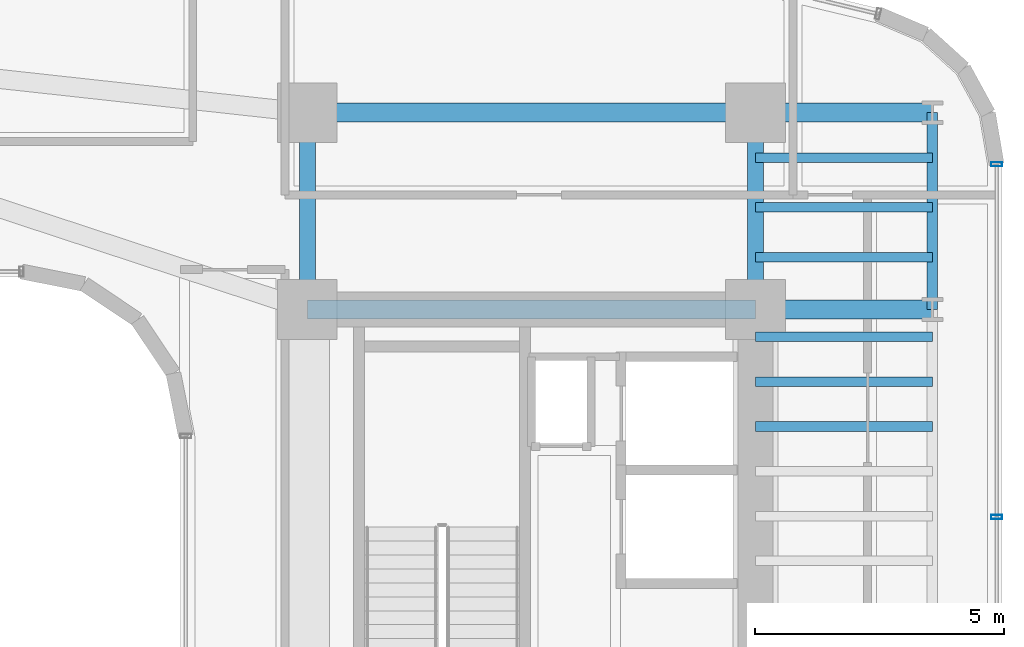
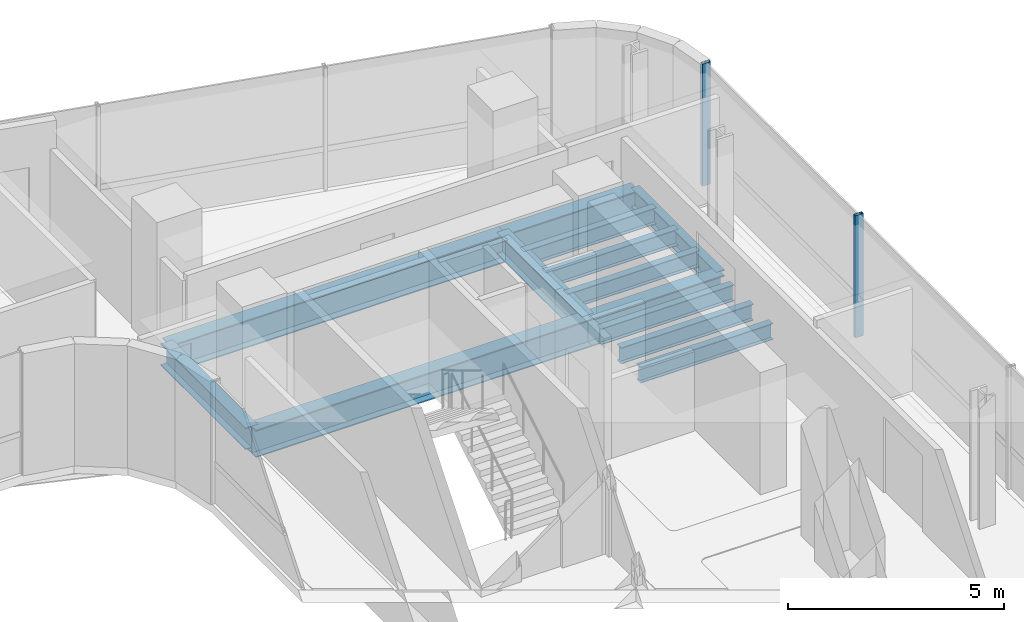
# One storey, part 18 of 35: 13 beams, 2 members, 1 element without a shape of its own.
"""IFC4 building model written with IfcOpenShell, lengths in metres."""

import ifcopenshell
import ifcopenshell.guid

model = None  # the IFC model being written
_history = None  # IfcOwnerHistory: only IFC2X3 demands one
_inside = {}  # id of a spatial element -> (the spatial element, [elements in it])
_under = {}  # id of a project, library or spatial element -> (it, [spatial elements below it])
_declared = {}  # id of a project -> (the project, [libraries it declares])
_typed = {}  # id of a type object -> (the type object, [elements of that type])
_made_of = {}  # id of a material, layer set ... -> (it, [elements and type objects made of it])


def new_model(schema):
    """Start an empty IFC model of exactly this schema.

    Asked for "IFC4X3", IfcOpenShell would pick the latest addendum, in which some entities
    have other attributes; the version numbers below select the first issue.
    IFC2X3 requires an IfcOwnerHistory on every rooted entity: one is made here for all.
    """
    global model, _history
    if schema == "IFC4X3":
        model = ifcopenshell.file(schema_version=(4, 3, 0, 0))
    else:
        model = ifcopenshell.file(schema=schema)
    _inside.clear()
    _under.clear()
    _declared.clear()
    _typed.clear()
    _made_of.clear()
    _history = None
    if model.schema == "IFC2X3":
        org = make("IfcOrganization", Name="unknown")
        user = make(
            "IfcPersonAndOrganization",
            ThePerson=make("IfcPerson", FamilyName="unknown"),
            TheOrganization=org,
        )
        app = make(
            "IfcApplication",
            ApplicationDeveloper=org,
            Version="unknown",
            ApplicationFullName="unknown",
            ApplicationIdentifier="unknown",
        )
        _history = make(
            "IfcOwnerHistory",
            OwningUser=user,
            OwningApplication=app,
            ChangeAction="ADDED",
            CreationDate=0,
        )
    return model


def make(cls, **values):
    """One entity of the class cls with the attributes given. An attribute that is None is left unset."""
    return model.create_entity(
        cls, **{name: value for name, value in values.items() if value is not None}
    )


def rooted(cls, **values):
    """An entity with a GlobalId (a new one), such as an element, a storey or a relation."""
    return make(cls, GlobalId=ifcopenshell.guid.new(), OwnerHistory=_history, **values)


def si_unit(unit_type, name, prefix=None):
    """IfcSIUnit, for example si_unit("LENGTHUNIT", "METRE", prefix="MILLI")."""
    return make("IfcSIUnit", UnitType=unit_type, Prefix=prefix, Name=name)


def assignment(units):
    """IfcUnitAssignment: the units of a project."""
    return None if units is None else make("IfcUnitAssignment", Units=units)


def point(xyz):
    """IfcCartesianPoint."""
    return None if xyz is None else make("IfcCartesianPoint", Coordinates=xyz)


def direction(xyz):
    """IfcDirection."""
    return None if xyz is None else make("IfcDirection", DirectionRatios=xyz)


def frame(location, z_axis=None, x_axis=None):
    """IfcAxis2Placement3D, a coordinate frame: its origin and axes. An axis left out is left unset."""
    return make(
        "IfcAxis2Placement3D",
        Location=point(location),
        Axis=direction(z_axis),
        RefDirection=direction(x_axis),
    )


def frame_2d(location, x_axis=None):
    """IfcAxis2Placement2D, a coordinate frame in the plane: its origin and x axis."""
    return make(
        "IfcAxis2Placement2D", Location=point(location), RefDirection=direction(x_axis)
    )


def origin():
    """The frame at (0, 0, 0) with its axes left unset."""
    return frame((0.0, 0.0, 0.0))


def origin_2d():
    """The frame at (0, 0) in the plane with its x axis left unset."""
    return frame_2d((0.0, 0.0))


def place(relative_to, where):
    """IfcLocalPlacement: puts the frame where relative to a parent placement (None: the world)."""
    return make(
        "IfcLocalPlacement", PlacementRelTo=relative_to, RelativePlacement=where
    )


def context(
    kind, dimensions, precision=None, world=None, true_north=None, identifier=None
):
    """IfcGeometricRepresentationContext, for example the 3D "Model" context."""
    return make(
        "IfcGeometricRepresentationContext",
        ContextIdentifier=identifier,
        ContextType=kind,
        CoordinateSpaceDimension=dimensions,
        Precision=precision,
        WorldCoordinateSystem=world,
        TrueNorth=true_north,
    )


def subcontext(parent, identifier, kind, view, scale=None):
    """IfcGeometricRepresentationSubContext, for example "Body" below "Model"."""
    return make(
        "IfcGeometricRepresentationSubContext",
        ContextIdentifier=identifier,
        ContextType=kind,
        ParentContext=parent,
        TargetScale=scale,
        TargetView=view,
    )


def project(units=None, contexts=None):
    """IfcProject with its units and contexts."""
    return rooted(
        "IfcProject",
        Name="project",
        RepresentationContexts=contexts,
        UnitsInContext=assignment(units),
    )


def spatial(cls, under=None, at=None, **own):
    """A site, building, storey or space (cls), placed at a placement, below another one or the project."""
    s = rooted(cls, ObjectPlacement=at, **own)
    if under is not None:
        _under.setdefault(under.id(), (under, []))[1].append(s)
    return s


def profile(cls, at=None, kind="AREA", **sizes):
    """A parametric profile (cls). Its sizes go by their IFC names, for example OverallWidth=200.0."""
    return make(cls, ProfileType=kind, Position=at, **sizes)


def hollow_rectangle(**sizes):
    """IfcRectangleHollowProfileDef."""
    return profile("IfcRectangleHollowProfileDef", **sizes)


def i_section(**sizes):
    """IfcIShapeProfileDef."""
    return profile("IfcIShapeProfileDef", **sizes)


def extrude(swept, where, along, depth):
    """IfcExtrudedAreaSolid: the profile swept, set in the frame where, extruded along a direction by depth."""
    return make(
        "IfcExtrudedAreaSolid",
        SweptArea=swept,
        Position=where,
        ExtrudedDirection=direction(along),
        Depth=depth,
    )


def shape(context_of_items, identifier, shape_type, items):
    """IfcShapeRepresentation: the items that make up one representation, for example the "Body"."""
    return make(
        "IfcShapeRepresentation",
        ContextOfItems=context_of_items,
        RepresentationIdentifier=identifier,
        RepresentationType=shape_type,
        Items=items,
    )


def source(mapping_origin, context_of_items, identifier, shape_type, items):
    """IfcRepresentationMap: a shape defined once, which mapped items show again and again."""
    return make(
        "IfcRepresentationMap",
        MappingOrigin=mapping_origin,
        MappedRepresentation=shape(context_of_items, identifier, shape_type, items),
    )


def transform(
    local_origin,
    x_axis=None,
    y_axis=None,
    z_axis=None,
    scale=None,
    scale2=None,
    scale3=None,
    uniform=True,
):
    """IfcCartesianTransformationOperator3D, or its non-uniform kind. x_axis, y_axis, z_axis: its Axis1, 2, 3."""
    if uniform:
        return make(
            "IfcCartesianTransformationOperator3D",
            Axis1=direction(x_axis),
            Axis2=direction(y_axis),
            LocalOrigin=point(local_origin),
            Scale=scale,
            Axis3=direction(z_axis),
        )
    return make(
        "IfcCartesianTransformationOperator3DnonUniform",
        Axis1=direction(x_axis),
        Axis2=direction(y_axis),
        LocalOrigin=point(local_origin),
        Scale=scale,
        Axis3=direction(z_axis),
        Scale2=scale2,
        Scale3=scale3,
    )


def mapped(mapping_source, mapping_target):
    """IfcMappedItem: shows the shape of a source again, moved by a transform."""
    return make(
        "IfcMappedItem", MappingSource=mapping_source, MappingTarget=mapping_target
    )


def material(Name=None, Category=None):
    """IfcMaterial."""
    return make("IfcMaterial", Name=Name, Category=Category)


def material_profile(
    of_material, cross_section, Name=None, Category=None, Priority=None
):
    """IfcMaterialProfile: a cross section and its material."""
    return make(
        "IfcMaterialProfile",
        Name=Name,
        Material=of_material,
        Profile=cross_section,
        Priority=Priority,
        Category=Category,
    )


def profile_set(profiles, Name=None, composite=None):
    """IfcMaterialProfileSet."""
    return make(
        "IfcMaterialProfileSet",
        Name=Name,
        MaterialProfiles=profiles,
        CompositeProfile=composite,
    )


def made_of(thing, what):
    """Note that an element or type object is made of a material, layer set ...; save() writes the relation."""
    if what is not None:
        _made_of.setdefault(what.id(), (what, []))[1].append(thing)
    return thing


def type_object(cls, material=None, **own):
    """A type object (cls), such as IfcWallType, which elements share."""
    return made_of(rooted(cls, **own), material)


def element(
    cls,
    number,
    at=None,
    inside=None,
    cuts=None,
    type_object=None,
    material=None,
    context=None,
    identifier="Body",
    shape_type=None,
    held_by="IfcProductDefinitionShape",
    body=None,
    shapes=None,
    **own,
):
    """One element of the class cls, such as IfcWall. Its Tag is "e" and its number.

    at: its placement. inside: the storey or other place that contains it. cuts: it is an
    opening in that element (IfcRelVoidsElement). A single representation is given by context,
    identifier, shape_type and body (its items); several are given by shapes. held_by: the class
    of the entity that holds the representations. save() writes the other relations.
    """
    e = rooted(cls, Tag="e%d" % number, ObjectPlacement=at, **own)
    if body is not None:
        shapes = [shape(context, identifier, shape_type, body)]
    if shapes is not None:
        e.Representation = make(held_by, Representations=shapes)
    if inside is not None:
        _inside.setdefault(inside.id(), (inside, []))[1].append(e)
    if cuts is not None:
        rooted(
            "IfcRelVoidsElement", RelatingBuildingElement=cuts, RelatedOpeningElement=e
        )
    if type_object is not None:
        _typed.setdefault(type_object.id(), (type_object, []))[1].append(e)
    return made_of(e, material)


def aggregate(whole, parts):
    """IfcRelAggregates: a whole, such as a stair, and the parts it consists of."""
    return rooted("IfcRelAggregates", RelatingObject=whole, RelatedObjects=parts)


def save(model, path):
    """Write the relations noted so far, then the file.

    IfcRelAggregates (storeys below a building ...), IfcRelContainedInSpatialStructure (elements
    in a storey), IfcRelDefinesByType, IfcRelAssociatesMaterial and IfcRelDeclares: one each for
    every whole, place, type object, material and project.
    """
    for whole, parts in _under.values():
        aggregate(whole, parts)
    for where, things in _inside.values():
        rooted(
            "IfcRelContainedInSpatialStructure",
            RelatedElements=things,
            RelatingStructure=where,
        )
    for kind, things in _typed.values():
        rooted("IfcRelDefinesByType", RelatedObjects=things, RelatingType=kind)
    for what, things in _made_of.values():
        rooted("IfcRelAssociatesMaterial", RelatedObjects=things, RelatingMaterial=what)
    for by, libraries in _declared.values():
        rooted("IfcRelDeclares", RelatingContext=by, RelatedDefinitions=libraries)
    model.write(path)


model = new_model("IFC4")

# Units and contexts
model_context = context("Model", 3, precision=1e-05, world=origin(), true_north=direction((0.0, 1.0)))
body_context = subcontext(model_context, "Body", "Model", "MODEL_VIEW")
ifc_project = project(units=[si_unit("LENGTHUNIT", "METRE"), si_unit("AREAUNIT", "SQUARE_METRE"), si_unit("VOLUMEUNIT", "CUBIC_METRE"), si_unit("PLANEANGLEUNIT", "RADIAN"), si_unit("MASSUNIT", "GRAM", prefix="KILO")], contexts=[model_context])

# Site, building, storey
site_placement = place(None, origin())
site = spatial("IfcSite", under=ifc_project, at=site_placement, CompositionType="ELEMENT")
building_placement = place(site_placement, origin())
building = spatial("IfcBuilding", under=site, at=building_placement, Name="Valdorenza Pilgrim Sanctuary Tower", CompositionType="ELEMENT")
storey_placement = place(building_placement, frame((0.0, 0.0, 150.10009765625)))
storey = spatial("IfcBuildingStorey", under=building, at=storey_placement, Name="L38", CompositionType="ELEMENT", Elevation=150.10009765625)

# Beams
ifc_material_1 = material(Name="Steel ASTM A992 Grade 50", Category="steel")
ifc_material_profile_1 = material_profile(ifc_material_1, i_section(OverallWidth=0.323974609375, OverallDepth=0.611083984375, WebThickness=0.0126953125, FlangeThickness=0.01904296875, at=origin_2d()), Name="W24X104")
ifc_profile_set_1 = profile_set([ifc_material_profile_1], Name="Steel ASTM A992 Grade 50")
beam_type_1 = type_object("IfcBeamType", Name="STR-BM-GRD-W24B", PredefinedType="BEAM", material=ifc_profile_set_1)
shared_shape_1 = source(origin(), body_context, "Body", "SweptSolid", [
    extrude(i_section(OverallWidth=0.323974609375, OverallDepth=0.611083984375, WebThickness=0.0126953125, FlangeThickness=0.01904296875, at=origin_2d()), origin(), (0.0, 0.0, 1.0), 3.949951171875),
])
for number, where, z_axis, x_axis, name in (
    (1, (15.85009765625, 9.550048828125, -0.545654296875), (0.0, 1.0, 0.0), (-1.0, 0.0, 0.0), "L38 Core Tie Girder CB-W-N1N2"),
    (2, (24.85009765625, 9.550048828125, -0.545654296875), (0.0, 1.0, 0.0), (-1.0, 0.0, 0.0), "L38 Core Tie Girder CB-E-N1N2"),
):
    element("IfcBeam", number, at=place(storey_placement, frame(where, z_axis=z_axis, x_axis=x_axis)), inside=storey, type_object=beam_type_1, Name=name, PredefinedType="BEAM", context=body_context, shape_type="MappedRepresentation", body=[
        mapped(shared_shape_1, transform((0.0, 0.0, 0.0), x_axis=(1.0, 0.0, 0.0), y_axis=(0.0, 1.0, 0.0), z_axis=(0.0, 0.0, 1.0), scale=1.0)),
    ])
ifc_material_profile_2 = material_profile(ifc_material_1, i_section(OverallWidth=0.214111328125, OverallDepth=0.549072265625, WebThickness=0.0146484375, FlangeThickness=0.023681640625, at=origin_2d()), Name="W21X93")
ifc_profile_set_2 = profile_set([ifc_material_profile_2], Name="Steel ASTM A992 Grade 50")
beam_type_2 = type_object("IfcBeamType", Name="STR-BM-SPN-W21A", PredefinedType="SPANDREL", material=ifc_profile_set_2)
shared_shape_2 = source(origin(), body_context, "Body", "SweptSolid", [
    extrude(i_section(OverallWidth=0.214111328125, OverallDepth=0.549072265625, WebThickness=0.0146484375, FlangeThickness=0.023681640625, at=origin_2d()), origin(), (0.0, 0.0, 1.0), 3.949951171875),
])
beam_placement = place(storey_placement, frame((28.39990234375, 9.550048828125, -0.5146484375), z_axis=(0.0, 1.0, 0.0), x_axis=(-1.0, 0.0, 0.0)))
element("IfcBeam", 3, at=beam_placement, inside=storey, type_object=beam_type_2, Name="L38 Spandrel Beam WB-E-N1N2", PredefinedType="SPANDREL", context=body_context, shape_type="MappedRepresentation", body=[
    mapped(shared_shape_2, transform((0.0, 0.0, 0.0), x_axis=(1.0, 0.0, 0.0), y_axis=(0.0, 1.0, 0.0), z_axis=(0.0, 0.0, 1.0), scale=1.0)),
])
ifc_material_profile_3 = material_profile(ifc_material_1, i_section(OverallWidth=0.382080078125, OverallDepth=0.779052734375, WebThickness=0.01806640625, FlangeThickness=0.030029296875, at=origin_2d()), Name="W30X191")
ifc_profile_set_3 = profile_set([ifc_material_profile_3], Name="Steel ASTM A992 Grade 50")
beam_type_3 = type_object("IfcBeamType", Name="STR-BM-GRD-W30", PredefinedType="BEAM", material=ifc_profile_set_3)
shared_shape_3 = source(origin(), body_context, "Body", "SweptSolid", [
    extrude(i_section(OverallWidth=0.382080078125, OverallDepth=0.779052734375, WebThickness=0.01806640625, FlangeThickness=0.030029296875, at=origin_2d()), origin(), (0.0, 0.0, 1.0), 9.0),
])
for number, where, z_axis, x_axis, name in (
    (4, (15.85009765625, 9.550048828125, -0.629638671875), (1.0, 0.0, 0.0), (0.0, 1.0, 0.0), "L38 Floor Girder CB-XC-N1"),
    (5, (15.85009765625, 13.5, -0.629638671875), (1.0, 0.0, 0.0), (0.0, 1.0, 0.0), "L38 Floor Girder CB-XC-N2"),
):
    element("IfcBeam", number, at=place(storey_placement, frame(where, z_axis=z_axis, x_axis=x_axis)), inside=storey, type_object=beam_type_3, Name=name, PredefinedType="BEAM", context=body_context, shape_type="MappedRepresentation", body=[
        mapped(shared_shape_3, transform((0.0, 0.0, 0.0), x_axis=(1.0, 0.0, 0.0), y_axis=(0.0, 1.0, 0.0), z_axis=(0.0, 0.0, 1.0), scale=1.0)),
    ])
shared_shape_4 = source(origin(), body_context, "Body", "SweptSolid", [
    extrude(i_section(OverallWidth=0.382080078125, OverallDepth=0.779052734375, WebThickness=0.01806640625, FlangeThickness=0.030029296875, at=origin_2d()), origin(), (0.0, 0.0, 1.0), 3.5498046875),
])
for number, where, z_axis, x_axis, name in (
    (6, (24.85009765625, 9.550048828125, -0.629638671875), (1.0, 0.0, 0.0), (0.0, 1.0, 0.0), "L38 Floor Girder WB-XE-N1"),
    (7, (24.85009765625, 13.5, -0.629638671875), (1.0, 0.0, 0.0), (0.0, 1.0, 0.0), "L38 Floor Girder WB-XE-N2"),
):
    element("IfcBeam", number, at=place(storey_placement, frame(where, z_axis=z_axis, x_axis=x_axis)), inside=storey, type_object=beam_type_3, Name=name, PredefinedType="BEAM", context=body_context, shape_type="MappedRepresentation", body=[
        mapped(shared_shape_4, transform((0.0, 0.0, 0.0), x_axis=(1.0, 0.0, 0.0), y_axis=(0.0, 1.0, 0.0), z_axis=(0.0, 0.0, 1.0), scale=1.0)),
    ])
ifc_material_profile_4 = material_profile(ifc_material_1, i_section(OverallWidth=0.19091796875, OverallDepth=0.45703125, WebThickness=0.009033203125, FlangeThickness=0.014404296875, at=origin_2d()), Name="W18X50")
ifc_profile_set_4 = profile_set([ifc_material_profile_4], Name="Steel ASTM A992 Grade 50")
beam_type_4 = type_object("IfcBeamType", Name="STR-BM-JST-W18B", PredefinedType="JOIST", material=ifc_profile_set_4)
shared_shape_5 = source(origin(), body_context, "Body", "SweptSolid", [
    extrude(i_section(OverallWidth=0.19091796875, OverallDepth=0.45703125, WebThickness=0.009033203125, FlangeThickness=0.014404296875, at=origin_2d()), origin(), (0.0, 0.0, 1.0), 3.5498046875),
])
for number, where, z_axis, x_axis, name in (
    (8, (24.85009765625, 7.199951171875, -0.468505859375), (1.0, 0.0, 0.0), (0.0, 1.0, 0.0), "L38 Composite Floor Joist JST-WB-16"),
    (9, (24.85009765625, 8.10009765625, -0.468505859375), (1.0, 0.0, 0.0), (0.0, 1.0, 0.0), "L38 Composite Floor Joist JST-WB-17"),
    (10, (24.85009765625, 9.0, -0.468505859375), (1.0, 0.0, 0.0), (0.0, 1.0, 0.0), "L38 Composite Floor Joist JST-WB-18"),
    (11, (24.85009765625, 10.60009765625, -0.468505859375), (1.0, 0.0, 0.0), (0.0, 1.0, 0.0), "L38 Composite Floor Joist JST-WB-19"),
    (12, (24.85009765625, 11.60009765625, -0.468505859375), (1.0, 0.0, 0.0), (0.0, 1.0, 0.0), "L38 Composite Floor Joist JST-WB-20"),
    (13, (24.85009765625, 12.60009765625, -0.468505859375), (1.0, 0.0, 0.0), (0.0, 1.0, 0.0), "L38 Composite Floor Joist JST-WB-21"),
):
    element("IfcBeam", number, at=place(storey_placement, frame(where, z_axis=z_axis, x_axis=x_axis)), inside=storey, type_object=beam_type_4, Name=name, PredefinedType="JOIST", context=body_context, shape_type="MappedRepresentation", body=[
        mapped(shared_shape_5, transform((0.0, 0.0, 0.0), x_axis=(1.0, 0.0, 0.0), y_axis=(0.0, 1.0, 0.0), z_axis=(0.0, 0.0, 1.0), scale=1.0)),
    ])

# Curtain wall, members
ifc_material_2 = material(Name="Curtain-wall IGU glazing", Category="glass")
curtain_wall_type = type_object("IfcCurtainWallType", Name="CW-SYS-03", PredefinedType="NOTDEFINED", material=ifc_material_2)
curtain_wall_placement = place(storey_placement, origin())
curtain_wall = element("IfcCurtainWall", 14, at=curtain_wall_placement, inside=storey, type_object=curtain_wall_type, Name="L38 Curtain Wall CW-L38-1-21", PredefinedType="NOTDEFINED")
ifc_material_3 = material(Name="Anodised aluminium AW-6060", Category="aluminium")
ifc_material_profile_5 = material_profile(ifc_material_3, hollow_rectangle(XDim=0.0849609375, YDim=0.219970703125, WallThickness=0.0048828125, at=origin_2d()), Name="ALU-M 220x85x5")
ifc_profile_set_5 = profile_set([ifc_material_profile_5], Name="Anodised aluminium AW-6060")
member_type = type_object("IfcMemberType", Name="CW-MUL-03", PredefinedType="MULLION", material=ifc_profile_set_5)
shared_shape_6 = source(origin(), body_context, "Body", "SweptSolid", [
    extrude(hollow_rectangle(XDim=0.0849609375, YDim=0.219970703125, WallThickness=0.0048828125, at=origin_2d()), origin(), (0.0, 0.0, 1.0), 3.4599609375),
])
member_1_placement = place(storey_placement, frame((29.68994140625, 12.46630859375, 0.0), z_axis=(0.0, 0.0, 1.0), x_axis=(0.0, -1.0, 0.0)))
member_1 = element("IfcMember", 15, at=member_1_placement, type_object=member_type, Name="CW-L38-1-21 Mullion 1", PredefinedType="MULLION", context=body_context, shape_type="MappedRepresentation", body=[
    mapped(shared_shape_6, transform((0.0, 0.0, 0.0), x_axis=(1.0, 0.0, 0.0), y_axis=(0.0, 1.0, 0.0), z_axis=(0.0, 0.0, 1.0), scale=1.0)),
])
member_2_placement = place(storey_placement, frame((29.68994140625, 5.381103515625, 0.0), z_axis=(0.0, 0.0, 1.0), x_axis=(0.0, -1.0, 0.0)))
member_2 = element("IfcMember", 16, at=member_2_placement, type_object=member_type, Name="CW-L38-1-21 Mullion 2", PredefinedType="MULLION", context=body_context, shape_type="MappedRepresentation", body=[
    mapped(shared_shape_6, transform((0.0, 0.0, 0.0), x_axis=(1.0, 0.0, 0.0), y_axis=(0.0, 1.0, 0.0), z_axis=(0.0, 0.0, 1.0), scale=1.0)),
])
aggregate(curtain_wall, [member_1, member_2])

save(model, "model.ifc")
